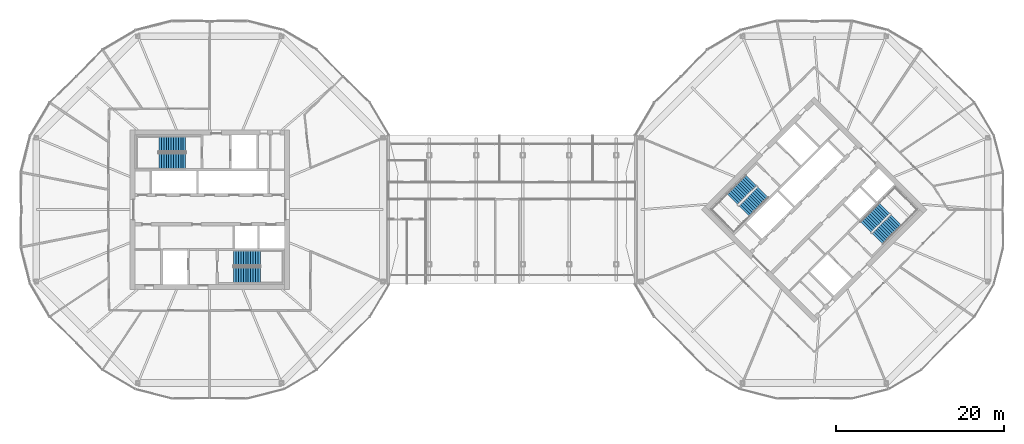
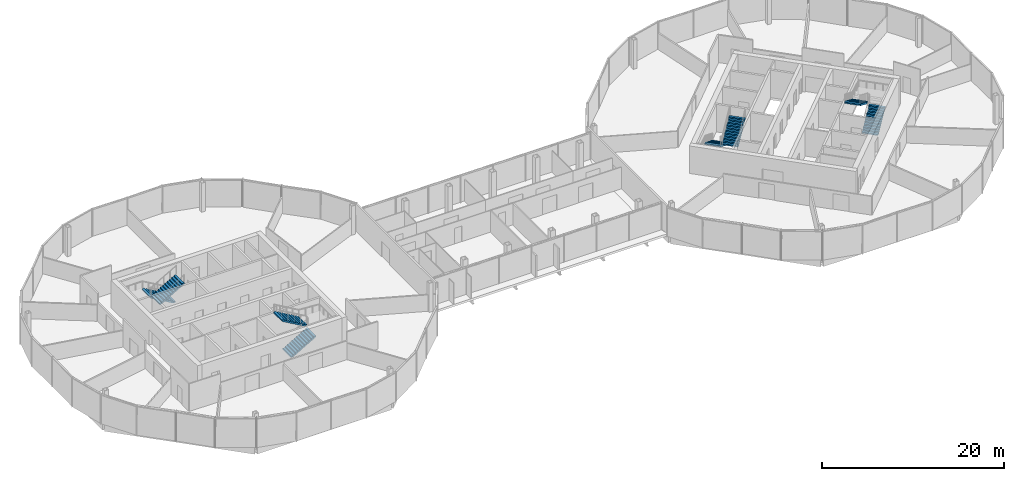
# One storey, part 25 of 26: 8 stair flights, 4 elements without a shape of their own.
"""IFC4 building model written with IfcOpenShell, lengths in metres."""

from ifc_helpers import new_model, si_unit, direction, frame, origin, place, context, subcontext, project, spatial, polyline, outline, extrude, material, type_object, element, aggregate, save


model = new_model("IFC4")

# Units and contexts
model_context = context("Model", 3, precision=1e-05, world=origin(), true_north=direction((0.0, 1.0)))
body_context = subcontext(model_context, "Body", "Model", "MODEL_VIEW")
ifc_project = project(units=[si_unit("LENGTHUNIT", "METRE"), si_unit("AREAUNIT", "SQUARE_METRE"), si_unit("VOLUMEUNIT", "CUBIC_METRE"), si_unit("PLANEANGLEUNIT", "RADIAN"), si_unit("MASSUNIT", "GRAM", prefix="KILO")], contexts=[model_context])

# Site, building, storey
site_placement = place(None, origin())
site = spatial("IfcSite", under=ifc_project, at=site_placement, CompositionType="ELEMENT")
building_placement = place(site_placement, origin())
building = spatial("IfcBuilding", under=site, at=building_placement, Name="Ogive Gate Towers", CompositionType="ELEMENT")
storey_placement = place(building_placement, frame((0.0, 0.0, 156.800048828125)))
storey = spatial("IfcBuildingStorey", under=building, at=storey_placement, Name="L37", CompositionType="ELEMENT", Elevation=156.800048828125)

# Stair, stair flights
ifc_material = material(Name="Concrete C40/50", Category="concrete")
stair_type = type_object("IfcStairType", Name="Escape stair 1840 wide", PredefinedType="HALF_TURN_STAIR", material=ifc_material)
stair_1_placement = place(storey_placement, origin())
stair_1 = element("IfcStair", 1, at=stair_1_placement, inside=storey, type_object=stair_type, Name="L37 Escape stair 1", PredefinedType="HALF_TURN_STAIR")
stair_flight_type = type_object("IfcStairFlightType", Name="Stair flight 1840 wide", PredefinedType="STRAIGHT", material=ifc_material)
stair_flight_1_placement = place(storey_placement, frame((-38.864990234375, 7.780029296875, 0.0), z_axis=(0.0, 0.0, 1.0), x_axis=(-1.0, 0.0, 0.0)))
stair_flight_1 = element("IfcStairFlight", 2, at=stair_flight_1_placement, type_object=stair_flight_type, Name="ST1 flight 1", NumberOfRisers=12, NumberOfTreads=11, PredefinedType="STRAIGHT", RiserHeight=0.166666667, TreadLength=0.2875, context=body_context, shape_type="SweptSolid", body=[
    extrude(outline(polyline([(0.0, 0.0), (0.0, 0.166748046875), (0.28759765625, 0.166748046875), (0.28759765625, 0.333251953125), (0.574951171875, 0.333251953125), (0.574951171875, 0.5), (0.862548828125, 0.5), (0.862548828125, 0.666748046875), (1.14990234375, 0.666748046875), (1.14990234375, 0.833251953125), (1.4375, 0.833251953125), (1.4375, 1.0), (1.72509765625, 1.0), (1.72509765625, 1.166748046875), (2.012451171875, 1.166748046875), (2.012451171875, 1.333251953125), (2.300048828125, 1.333251953125), (2.300048828125, 1.5), (2.58740234375, 1.5), (2.58740234375, 1.666748046875), (2.875, 1.666748046875), (2.875, 1.833251953125), (3.16259765625, 1.833251953125), (3.16259765625, 2.0), (3.16259765625, 1.66015625), (0.298828125, 0.0), (0.0, 0.0)])), frame((0.0, 0.919921875, 0.0), z_axis=(0.0, -1.0, 0.0), x_axis=(1.0, 0.0, 0.0)), (0.0, 0.0, 1.0), 1.840087890625),
])
stair_flight_2_placement = place(storey_placement, frame((-42.027587890625, 5.794921875, 2.0), z_axis=(0.0, 0.0, 1.0), x_axis=(1.0, 0.0, 0.0)))
stair_flight_2 = element("IfcStairFlight", 3, at=stair_flight_2_placement, type_object=stair_flight_type, Name="ST1 flight 2", NumberOfRisers=12, NumberOfTreads=11, PredefinedType="STRAIGHT", RiserHeight=0.166666667, TreadLength=0.2875, context=body_context, shape_type="SweptSolid", body=[
    extrude(outline(polyline([(0.0, 0.0), (0.0, 0.166748046875), (0.28759765625, 0.166748046875), (0.28759765625, 0.333251953125), (0.574951171875, 0.333251953125), (0.574951171875, 0.5), (0.862548828125, 0.5), (0.862548828125, 0.666748046875), (1.14990234375, 0.666748046875), (1.14990234375, 0.833251953125), (1.4375, 0.833251953125), (1.4375, 1.0), (1.72509765625, 1.0), (1.72509765625, 1.166748046875), (2.012451171875, 1.166748046875), (2.012451171875, 1.333251953125), (2.300048828125, 1.333251953125), (2.300048828125, 1.5), (2.58740234375, 1.5), (2.58740234375, 1.666748046875), (2.875, 1.666748046875), (2.875, 1.833251953125), (3.16259765625, 1.833251953125), (3.16259765625, 2.0), (3.16259765625, 1.66015625), (0.298828125, 0.0), (0.0, 0.0)])), frame((0.0, 0.919921875, 0.0), z_axis=(0.0, -1.0, 0.0), x_axis=(1.0, 0.0, 0.0)), (0.0, 0.0, 1.0), 1.840087890625),
])
aggregate(stair_1, [stair_flight_1, stair_flight_2])

stair_2_placement = place(storey_placement, origin())
stair_2 = element("IfcStair", 4, at=stair_2_placement, inside=storey, type_object=stair_type, Name="L37 Escape stair 2", PredefinedType="HALF_TURN_STAIR")
stair_flight_3_placement = place(storey_placement, frame((-33.135009765625, -7.780029296875, 0.0), z_axis=(0.0, 0.0, 1.0), x_axis=(1.0, 0.0, 0.0)))
stair_flight_3 = element("IfcStairFlight", 5, at=stair_flight_3_placement, type_object=stair_flight_type, Name="ST2 flight 1", NumberOfRisers=12, NumberOfTreads=11, PredefinedType="STRAIGHT", RiserHeight=0.166666667, TreadLength=0.2875, context=body_context, shape_type="SweptSolid", body=[
    extrude(outline(polyline([(0.0, 0.0), (0.0, 0.166748046875), (0.28759765625, 0.166748046875), (0.28759765625, 0.333251953125), (0.574951171875, 0.333251953125), (0.574951171875, 0.5), (0.862548828125, 0.5), (0.862548828125, 0.666748046875), (1.14990234375, 0.666748046875), (1.14990234375, 0.833251953125), (1.4375, 0.833251953125), (1.4375, 1.0), (1.72509765625, 1.0), (1.72509765625, 1.166748046875), (2.012451171875, 1.166748046875), (2.012451171875, 1.333251953125), (2.300048828125, 1.333251953125), (2.300048828125, 1.5), (2.58740234375, 1.5), (2.58740234375, 1.666748046875), (2.875, 1.666748046875), (2.875, 1.833251953125), (3.16259765625, 1.833251953125), (3.16259765625, 2.0), (3.16259765625, 1.66015625), (0.298828125, 0.0), (0.0, 0.0)])), frame((0.0, 0.919921875, 0.0), z_axis=(0.0, -1.0, 0.0), x_axis=(1.0, 0.0, 0.0)), (0.0, 0.0, 1.0), 1.840087890625),
])
stair_flight_4_placement = place(storey_placement, frame((-29.972412109375, -5.794921875, 2.0), z_axis=(0.0, 0.0, 1.0), x_axis=(-1.0, 0.0, 0.0)))
stair_flight_4 = element("IfcStairFlight", 6, at=stair_flight_4_placement, type_object=stair_flight_type, Name="ST2 flight 2", NumberOfRisers=12, NumberOfTreads=11, PredefinedType="STRAIGHT", RiserHeight=0.166666667, TreadLength=0.2875, context=body_context, shape_type="SweptSolid", body=[
    extrude(outline(polyline([(0.0, 0.0), (0.0, 0.166748046875), (0.28759765625, 0.166748046875), (0.28759765625, 0.333251953125), (0.574951171875, 0.333251953125), (0.574951171875, 0.5), (0.862548828125, 0.5), (0.862548828125, 0.666748046875), (1.14990234375, 0.666748046875), (1.14990234375, 0.833251953125), (1.4375, 0.833251953125), (1.4375, 1.0), (1.72509765625, 1.0), (1.72509765625, 1.166748046875), (2.012451171875, 1.166748046875), (2.012451171875, 1.333251953125), (2.300048828125, 1.333251953125), (2.300048828125, 1.5), (2.58740234375, 1.5), (2.58740234375, 1.666748046875), (2.875, 1.666748046875), (2.875, 1.833251953125), (3.16259765625, 1.833251953125), (3.16259765625, 2.0), (3.16259765625, 1.66015625), (0.298828125, 0.0), (0.0, 0.0)])), frame((0.0, 0.919921875, 0.0), z_axis=(0.0, -1.0, 0.0), x_axis=(1.0, 0.0, 0.0)), (0.0, 0.0, 1.0), 1.840087890625),
])
aggregate(stair_2, [stair_flight_3, stair_flight_4])

stair_3_placement = place(storey_placement, origin())
stair_3 = element("IfcStair", 7, at=stair_3_placement, inside=storey, type_object=stair_type, Name="L37 Escape stair 1", PredefinedType="HALF_TURN_STAIR")
stair_flight_5_placement = place(storey_placement, frame((28.472900390625, 3.475341796875, 0.0), z_axis=(0.0, 0.0, 1.0), x_axis=(-0.707106781187, -0.707106781187, 0.0)))
stair_flight_5 = element("IfcStairFlight", 8, at=stair_flight_5_placement, type_object=stair_flight_type, Name="ST1 flight 1", NumberOfRisers=12, NumberOfTreads=11, PredefinedType="STRAIGHT", RiserHeight=0.166666667, TreadLength=0.2875, context=body_context, shape_type="SweptSolid", body=[
    extrude(outline(polyline([(0.0, 0.0), (0.0, 0.166748046875), (0.28759765625, 0.166748046875), (0.28759765625, 0.333251953125), (0.574951171875, 0.333251953125), (0.574951171875, 0.5), (0.862548828125, 0.5), (0.862548828125, 0.666748046875), (1.14990234375, 0.666748046875), (1.14990234375, 0.833251953125), (1.4375, 0.833251953125), (1.4375, 1.0), (1.72509765625, 1.0), (1.72509765625, 1.166748046875), (2.012451171875, 1.166748046875), (2.012451171875, 1.333251953125), (2.300048828125, 1.333251953125), (2.300048828125, 1.5), (2.58740234375, 1.5), (2.58740234375, 1.666748046875), (2.875, 1.666748046875), (2.875, 1.833251953125), (3.16259765625, 1.833251953125), (3.16259765625, 2.0), (3.16259765625, 1.66015625), (0.298828125, 0.0), (0.0, 0.0)])), frame((0.0, 0.919921875, 0.0), z_axis=(0.0, -1.0, 0.0), x_axis=(1.0, 0.0, 0.0)), (0.0, 0.0, 1.0), 1.840087890625),
])
stair_flight_6_placement = place(storey_placement, frame((27.64013671875, -0.164306640625, 2.0), z_axis=(0.0, 0.0, 1.0), x_axis=(0.707106781187, 0.707106781187, 0.0)))
stair_flight_6 = element("IfcStairFlight", 9, at=stair_flight_6_placement, type_object=stair_flight_type, Name="ST1 flight 2", NumberOfRisers=12, NumberOfTreads=11, PredefinedType="STRAIGHT", RiserHeight=0.166666667, TreadLength=0.2875, context=body_context, shape_type="SweptSolid", body=[
    extrude(outline(polyline([(0.0, 0.0), (0.0, 0.166748046875), (0.28759765625, 0.166748046875), (0.28759765625, 0.333251953125), (0.574951171875, 0.333251953125), (0.574951171875, 0.5), (0.862548828125, 0.5), (0.862548828125, 0.666748046875), (1.14990234375, 0.666748046875), (1.14990234375, 0.833251953125), (1.4375, 0.833251953125), (1.4375, 1.0), (1.72509765625, 1.0), (1.72509765625, 1.166748046875), (2.012451171875, 1.166748046875), (2.012451171875, 1.333251953125), (2.300048828125, 1.333251953125), (2.300048828125, 1.5), (2.58740234375, 1.5), (2.58740234375, 1.666748046875), (2.875, 1.666748046875), (2.875, 1.833251953125), (3.16259765625, 1.833251953125), (3.16259765625, 2.0), (3.16259765625, 1.66015625), (0.298828125, 0.0), (0.0, 0.0)])), frame((0.0, 0.919921875, 0.0), z_axis=(0.0, -1.0, 0.0), x_axis=(1.0, 0.0, 0.0)), (0.0, 0.0, 1.0), 1.840087890625),
])
aggregate(stair_3, [stair_flight_5, stair_flight_6])

stair_4_placement = place(storey_placement, origin())
stair_4 = element("IfcStair", 10, at=stair_4_placement, inside=storey, type_object=stair_type, Name="L37 Escape stair 2", PredefinedType="HALF_TURN_STAIR")
stair_flight_7_placement = place(storey_placement, frame((43.527099609375, -3.475341796875, 0.0), z_axis=(0.0, 0.0, 1.0), x_axis=(0.707106781187, 0.707106781187, 0.0)))
stair_flight_7 = element("IfcStairFlight", 11, at=stair_flight_7_placement, type_object=stair_flight_type, Name="ST2 flight 1", NumberOfRisers=12, NumberOfTreads=11, PredefinedType="STRAIGHT", RiserHeight=0.166666667, TreadLength=0.2875, context=body_context, shape_type="SweptSolid", body=[
    extrude(outline(polyline([(0.0, 0.0), (0.0, 0.166748046875), (0.28759765625, 0.166748046875), (0.28759765625, 0.333251953125), (0.574951171875, 0.333251953125), (0.574951171875, 0.5), (0.862548828125, 0.5), (0.862548828125, 0.666748046875), (1.14990234375, 0.666748046875), (1.14990234375, 0.833251953125), (1.4375, 0.833251953125), (1.4375, 1.0), (1.72509765625, 1.0), (1.72509765625, 1.166748046875), (2.012451171875, 1.166748046875), (2.012451171875, 1.333251953125), (2.300048828125, 1.333251953125), (2.300048828125, 1.5), (2.58740234375, 1.5), (2.58740234375, 1.666748046875), (2.875, 1.666748046875), (2.875, 1.833251953125), (3.16259765625, 1.833251953125), (3.16259765625, 2.0), (3.16259765625, 1.66015625), (0.298828125, 0.0), (0.0, 0.0)])), frame((0.0, 0.919921875, 0.0), z_axis=(0.0, -1.0, 0.0), x_axis=(1.0, 0.0, 0.0)), (0.0, 0.0, 1.0), 1.840087890625),
])
stair_flight_8_placement = place(storey_placement, frame((44.35986328125, 0.164306640625, 2.0), z_axis=(0.0, 0.0, 1.0), x_axis=(-0.707106781187, -0.707106781187, 0.0)))
stair_flight_8 = element("IfcStairFlight", 12, at=stair_flight_8_placement, type_object=stair_flight_type, Name="ST2 flight 2", NumberOfRisers=12, NumberOfTreads=11, PredefinedType="STRAIGHT", RiserHeight=0.166666667, TreadLength=0.2875, context=body_context, shape_type="SweptSolid", body=[
    extrude(outline(polyline([(0.0, 0.0), (0.0, 0.166748046875), (0.28759765625, 0.166748046875), (0.28759765625, 0.333251953125), (0.574951171875, 0.333251953125), (0.574951171875, 0.5), (0.862548828125, 0.5), (0.862548828125, 0.666748046875), (1.14990234375, 0.666748046875), (1.14990234375, 0.833251953125), (1.4375, 0.833251953125), (1.4375, 1.0), (1.72509765625, 1.0), (1.72509765625, 1.166748046875), (2.012451171875, 1.166748046875), (2.012451171875, 1.333251953125), (2.300048828125, 1.333251953125), (2.300048828125, 1.5), (2.58740234375, 1.5), (2.58740234375, 1.666748046875), (2.875, 1.666748046875), (2.875, 1.833251953125), (3.16259765625, 1.833251953125), (3.16259765625, 2.0), (3.16259765625, 1.66015625), (0.298828125, 0.0), (0.0, 0.0)])), frame((0.0, 0.919921875, 0.0), z_axis=(0.0, -1.0, 0.0), x_axis=(1.0, 0.0, 0.0)), (0.0, 0.0, 1.0), 1.840087890625),
])
aggregate(stair_4, [stair_flight_7, stair_flight_8])

save(model, "model.ifc")
